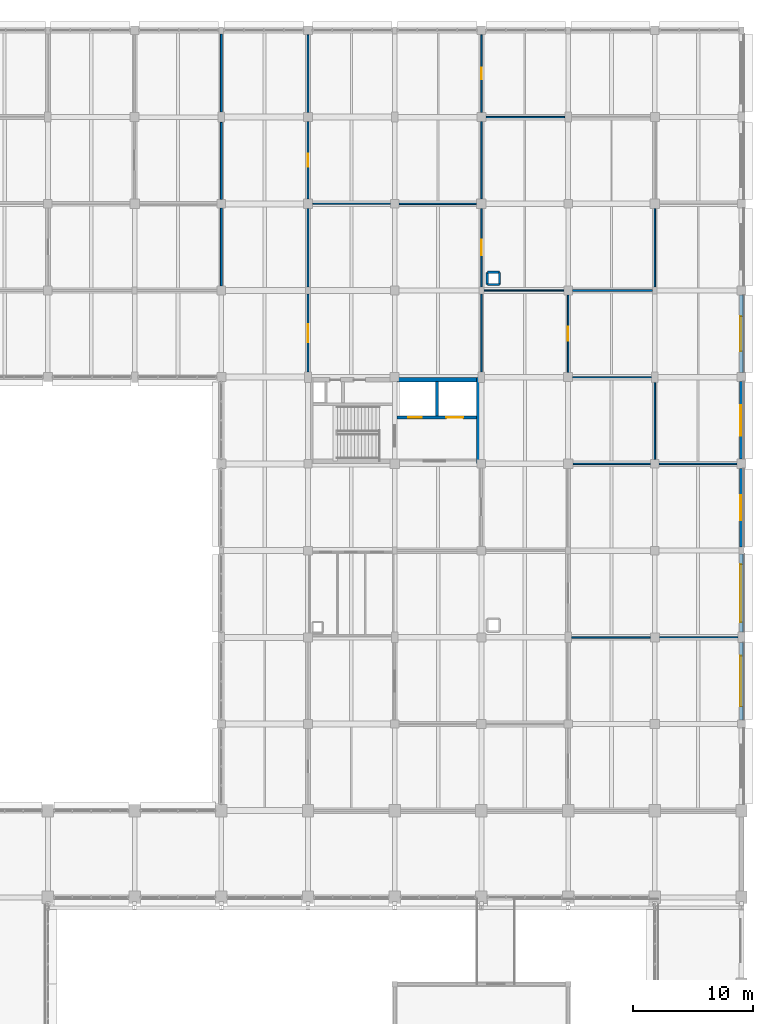
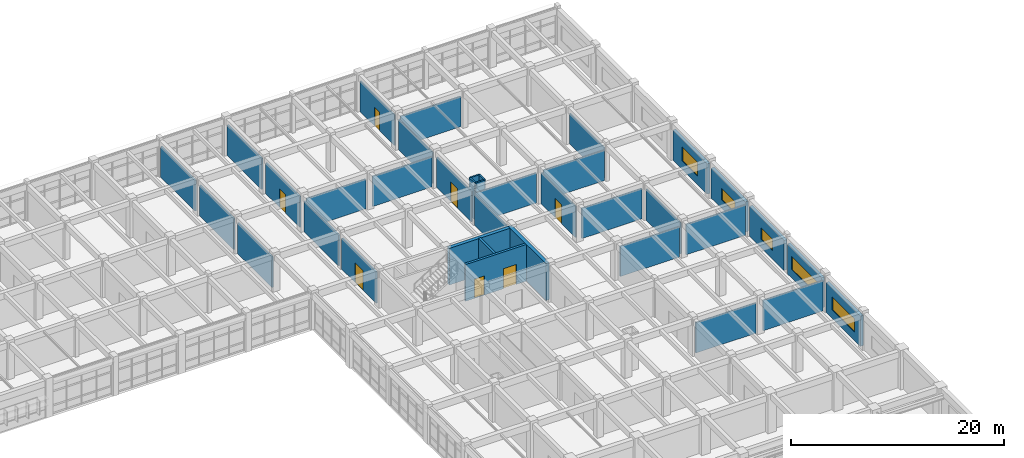
# One storey, part 161 of 171: 37 walls, 7 doors, 5 windows, 12 openings.
"""IFC4 building model written with IfcOpenShell, lengths in metres."""

from ifc_helpers import new_model, si_unit, direction, frame, frame_2d, origin, place, context, subcontext, project, spatial, rectangle, extrude, material, layer, layer_set, type_object, element, fill, save


model = new_model("IFC4")

# Units and contexts
model_context = context("Model", 3, precision=1e-05, world=origin(), true_north=direction((0.0, 1.0)))
body_context = subcontext(model_context, "Body", "Model", "MODEL_VIEW")
ifc_project = project(units=[si_unit("LENGTHUNIT", "METRE"), si_unit("AREAUNIT", "SQUARE_METRE"), si_unit("VOLUMEUNIT", "CUBIC_METRE"), si_unit("PLANEANGLEUNIT", "RADIAN"), si_unit("MASSUNIT", "GRAM", prefix="KILO")], contexts=[model_context])

# Site, building, storey
site_placement = place(None, origin())
site = spatial("IfcSite", under=ifc_project, at=site_placement, CompositionType="ELEMENT")
building_placement = place(site_placement, origin())
building = spatial("IfcBuilding", under=site, at=building_placement, Name="Thalmaran Polytechnic", CompositionType="ELEMENT")
storey_placement = place(building_placement, frame((0.0, 0.0, 5.39990234375)))
storey = spatial("IfcBuildingStorey", under=building, at=storey_placement, Name="L01", CompositionType="ELEMENT", Elevation=5.39990234375)

# Wall, opening, window
ifc_material_1 = material(Name="Precast concrete C40/50", Category="concrete")
ifc_layer_1 = layer(ifc_material_1, 0.330078125, Name="Precast concrete C40/50")
ifc_layer_set_1 = layer_set([ifc_layer_1], Name="Precast concrete C40/50")
wall_type_1 = type_object("IfcWallType", Name="WL-EW02", PredefinedType="STANDARD", material=ifc_layer_set_1)
wall_1_placement = place(storey_placement, frame((172.800048828125, 100.43994140625, 0.0), z_axis=(0.0, 0.0, 1.0), x_axis=(0.0, -1.0, 0.0)))
wall_1 = element("IfcWall", 1, at=wall_1_placement, inside=storey, type_object=wall_type_1, Name="Exterior Precast Facade Wall L01-055", PredefinedType="STANDARD", context=body_context, shape_type="SweptSolid", body=[
    extrude(rectangle(XDim=6.46484375, YDim=0.330078125, at=frame_2d((3.232421875, 0.0))), origin(), (0.0, 0.0, 1.0), 3.455078125),
])
opening_1_placement = place(wall_1_placement, frame((1.782470703125, 0.0, 0.97998046875)))
opening_1 = element("IfcOpeningElement", 2, at=opening_1_placement, cuts=wall_1, Name="Opening VW18", PredefinedType="OPENING", context=body_context, shape_type="SweptSolid", body=[
    extrude(rectangle(XDim=2.89990234375, YDim=1.60009765625, at=frame_2d((1.449951171875, 0.800048828125))), frame((0.0, 0.175048828125, 0.0), z_axis=(0.0, -1.0, 0.0), x_axis=(1.0, 0.0, 0.0)), (0.0, 0.0, 1.0), 0.35009765625),
])
ifc_material_2 = material(Name="Thermally broken aluminium and double low-E glass", Category="aluminium")
window_type_1 = type_object("IfcWindowType", Name="WN-VZ18", PartitioningType="DOUBLE_PANEL_VERTICAL", PredefinedType="WINDOW", material=ifc_material_2)
window_1_placement = place(opening_1_placement, origin())
window_1 = element("IfcWindow", 3, at=window_1_placement, inside=storey, type_object=window_type_1, Name="Streamline Ribbon Window W-0127", OverallHeight=1.60009765625, OverallWidth=2.89990234375, PartitioningType="SINGLE_PANEL", PredefinedType="WINDOW", context=body_context, shape_type="SweptSolid", body=[
    extrude(rectangle(XDim=2.89990234375, YDim=1.60009765625, at=frame_2d((1.449951171875, 0.800048828125))), frame((0.0, -0.030029296875, 0.0), z_axis=(0.0, -1.0, 0.0), x_axis=(1.0, 0.0, 0.0)), (0.0, 0.0, 1.0), 0.06005859375),
])
fill(opening_1, window_1)

wall_2_placement = place(storey_placement, frame((172.800048828125, 93.22509765625, 0.0), z_axis=(0.0, 0.0, 1.0), x_axis=(0.0, -1.0, 0.0)))
wall_2 = element("IfcWall", 4, at=wall_2_placement, inside=storey, type_object=wall_type_1, Name="Exterior Precast Facade Wall L01-056", PredefinedType="STANDARD", context=body_context, shape_type="SweptSolid", body=[
    extrude(rectangle(XDim=6.43505859375, YDim=0.330078125, at=frame_2d((3.217529296875, 0.0))), origin(), (0.0, 0.0, 1.0), 3.455078125),
])
opening_2_placement = place(wall_2_placement, frame((1.967529296875, 0.0, 0.97998046875)))
opening_2 = element("IfcOpeningElement", 5, at=opening_2_placement, cuts=wall_2, Name="Opening VW19", PredefinedType="OPENING", context=body_context, shape_type="SweptSolid", body=[
    extrude(rectangle(XDim=2.5, YDim=1.35009765625, at=frame_2d((1.25, 0.675048828125))), frame((0.0, 0.175048828125, 0.0), z_axis=(0.0, -1.0, 0.0), x_axis=(1.0, 0.0, 0.0)), (0.0, 0.0, 1.0), 0.35009765625),
])
window_type_2 = type_object("IfcWindowType", Name="WN-VZ19", PartitioningType="DOUBLE_PANEL_VERTICAL", PredefinedType="WINDOW", material=ifc_material_2)
window_2_placement = place(opening_2_placement, origin())
window_2 = element("IfcWindow", 6, at=window_2_placement, inside=storey, type_object=window_type_2, Name="Streamline Ribbon Window W-0128", OverallHeight=1.35009765625, OverallWidth=2.5, PartitioningType="SINGLE_PANEL", PredefinedType="WINDOW", context=body_context, shape_type="SweptSolid", body=[
    extrude(rectangle(XDim=2.5, YDim=1.35009765625, at=frame_2d((1.25, 0.675048828125))), frame((0.0, -0.030029296875, 0.0), z_axis=(0.0, -1.0, 0.0), x_axis=(1.0, 0.0, 0.0)), (0.0, 0.0, 1.0), 0.06005859375),
])
fill(opening_2, window_2)

wall_3_placement = place(storey_placement, frame((172.800048828125, 86.010009765625, 0.0), z_axis=(0.0, 0.0, 1.0), x_axis=(0.0, -1.0, 0.0)))
wall_3 = element("IfcWall", 7, at=wall_3_placement, inside=storey, type_object=wall_type_1, Name="Exterior Precast Facade Wall L01-057", PredefinedType="STANDARD", context=body_context, shape_type="SweptSolid", body=[
    extrude(rectangle(XDim=6.510009765625, YDim=0.330078125, at=frame_2d((3.2548828125, 0.0))), origin(), (0.0, 0.0, 1.0), 3.455078125),
])
opening_3_placement = place(wall_3_placement, frame((2.205078125, 0.0, 0.97998046875)))
opening_3 = element("IfcOpeningElement", 8, at=opening_3_placement, cuts=wall_3, Name="Opening VW20", PredefinedType="OPENING", context=body_context, shape_type="SweptSolid", body=[
    extrude(rectangle(XDim=2.10009765625, YDim=1.300048828125, at=frame_2d((1.050048828125, 0.64990234375))), frame((0.0, 0.175048828125, 0.0), z_axis=(0.0, -1.0, 0.0), x_axis=(1.0, 0.0, 0.0)), (0.0, 0.0, 1.0), 0.35009765625),
])
window_type_3 = type_object("IfcWindowType", Name="WN-VZ20", PartitioningType="SINGLE_PANEL", PredefinedType="WINDOW", material=ifc_material_2)
window_3_placement = place(opening_3_placement, origin())
window_3 = element("IfcWindow", 9, at=window_3_placement, inside=storey, type_object=window_type_3, Name="Streamline Ribbon Window W-0129", OverallHeight=1.300048828125, OverallWidth=2.10009765625, PartitioningType="SINGLE_PANEL", PredefinedType="WINDOW", context=body_context, shape_type="SweptSolid", body=[
    extrude(rectangle(XDim=2.10009765625, YDim=1.300048828125, at=frame_2d((1.050048828125, 0.64990234375))), frame((0.0, -0.030029296875, 0.0), z_axis=(0.0, -1.0, 0.0), x_axis=(1.0, 0.0, 0.0)), (0.0, 0.0, 1.0), 0.06005859375),
])
fill(opening_3, window_3)

wall_4_placement = place(storey_placement, frame((172.800048828125, 78.89990234375, 0.0), z_axis=(0.0, 0.0, 1.0), x_axis=(0.0, -1.0, 0.0)))
wall_4 = element("IfcWall", 10, at=wall_4_placement, inside=storey, type_object=wall_type_1, Name="Exterior Precast Facade Wall L01-058", PredefinedType="STANDARD", context=body_context, shape_type="SweptSolid", body=[
    extrude(rectangle(XDim=6.474853515625, YDim=0.330078125, at=frame_2d((3.2373046875, 0.0))), origin(), (0.0, 0.0, 1.0), 3.455078125),
])
opening_4_placement = place(wall_4_placement, frame((0.83740234375, 0.0, 0.97998046875)))
opening_4 = element("IfcOpeningElement", 11, at=opening_4_placement, cuts=wall_4, Name="Opening RW01", PredefinedType="OPENING", context=body_context, shape_type="SweptSolid", body=[
    extrude(rectangle(XDim=4.800048828125, YDim=1.5, at=frame_2d((2.39990234375, 0.75))), frame((0.0, 0.175048828125, 0.0), z_axis=(0.0, -1.0, 0.0), x_axis=(1.0, 0.0, 0.0)), (0.0, 0.0, 1.0), 0.35009765625),
])
window_type_4 = type_object("IfcWindowType", Name="WN-RW01", PartitioningType="TRIPLE_PANEL_HORIZONTAL", PredefinedType="WINDOW", material=ifc_material_2)
window_4_placement = place(opening_4_placement, origin())
window_4 = element("IfcWindow", 12, at=window_4_placement, inside=storey, type_object=window_type_4, Name="Streamline Ribbon Window W-0130", OverallHeight=1.5, OverallWidth=4.800048828125, PartitioningType="SINGLE_PANEL", PredefinedType="WINDOW", context=body_context, shape_type="SweptSolid", body=[
    extrude(rectangle(XDim=4.800048828125, YDim=1.5, at=frame_2d((2.39990234375, 0.75))), frame((0.0, -0.030029296875, 0.0), z_axis=(0.0, -1.0, 0.0), x_axis=(1.0, 0.0, 0.0)), (0.0, 0.0, 1.0), 0.06005859375),
])
fill(opening_4, window_4)

wall_5_placement = place(storey_placement, frame((172.800048828125, 71.574951171875, 0.0), z_axis=(0.0, 0.0, 1.0), x_axis=(0.0, -1.0, 0.0)))
wall_5 = element("IfcWall", 13, at=wall_5_placement, inside=storey, type_object=wall_type_1, Name="Exterior Precast Facade Wall L01-059", PredefinedType="STANDARD", context=body_context, shape_type="SweptSolid", body=[
    extrude(rectangle(XDim=6.425048828125, YDim=0.330078125, at=frame_2d((3.21240234375, 0.0))), origin(), (0.0, 0.0, 1.0), 3.455078125),
])
opening_5_placement = place(wall_5_placement, frame((1.112548828125, 0.0, 0.97998046875)))
opening_5 = element("IfcOpeningElement", 14, at=opening_5_placement, cuts=wall_5, Name="Opening RW02", PredefinedType="OPENING", context=body_context, shape_type="SweptSolid", body=[
    extrude(rectangle(XDim=4.199951171875, YDim=1.5, at=frame_2d((2.10009765625, 0.75))), frame((0.0, 0.175048828125, 0.0), z_axis=(0.0, -1.0, 0.0), x_axis=(1.0, 0.0, 0.0)), (0.0, 0.0, 1.0), 0.35009765625),
])
window_type_5 = type_object("IfcWindowType", Name="WN-RW02", PartitioningType="TRIPLE_PANEL_HORIZONTAL", PredefinedType="WINDOW", material=ifc_material_2)
window_5_placement = place(opening_5_placement, origin())
window_5 = element("IfcWindow", 15, at=window_5_placement, inside=storey, type_object=window_type_5, Name="Streamline Ribbon Window W-0131", OverallHeight=1.5, OverallWidth=4.199951171875, PartitioningType="SINGLE_PANEL", PredefinedType="WINDOW", context=body_context, shape_type="SweptSolid", body=[
    extrude(rectangle(XDim=4.199951171875, YDim=1.5, at=frame_2d((2.10009765625, 0.75))), frame((0.0, -0.030029296875, 0.0), z_axis=(0.0, -1.0, 0.0), x_axis=(1.0, 0.0, 0.0)), (0.0, 0.0, 1.0), 0.06005859375),
])
fill(opening_5, window_5)

# Walls
ifc_material_3 = material(Name="Autoclaved aerated masonry", Category="masonry")
ifc_layer_2 = layer(ifc_material_3, 0.25, Name="Autoclaved aerated masonry")
ifc_layer_set_2 = layer_set([ifc_layer_2], Name="Autoclaved aerated masonry")
wall_type_2 = type_object("IfcWallType", Name="WL-IW01", PredefinedType="PARTITIONING", material=ifc_layer_set_2)
wall_6_placement = place(storey_placement, frame((147.5, 90.3798828125, 0.0), z_axis=(0.0, 0.0, 1.0), x_axis=(0.0, 1.0, 0.0)))
element("IfcWall", 16, at=wall_6_placement, inside=storey, type_object=wall_type_2, Name="Core C5 Shaft Dividing Wall L01", PredefinedType="PARTITIONING", context=body_context, shape_type="SweptSolid", body=[
    extrude(rectangle(XDim=2.8701171875, YDim=0.25, at=frame_2d((1.43505859375, 0.0))), origin(), (0.0, 0.0, 1.0), 4.210205078125),
])
ifc_layer_3 = layer(ifc_material_3, 0.179931640625, Name="Autoclaved aerated masonry")
ifc_layer_set_3 = layer_set([ifc_layer_3], Name="Autoclaved aerated masonry")
wall_type_3 = type_object("IfcWallType", Name="WL-IW04", PredefinedType="PARTITIONING", material=ifc_layer_set_3)
for number, where, z_axis, x_axis, name in (
    (17, (151.68994140625, 101.2900390625, 0.0), (0.0, 0.0, 1.0), (1.0, 0.0, 0.0), "Fume Exhaust Riser Shaft Wall L01 (21,14)-S"),
    (18, (152.7099609375, 101.2900390625, 0.0), (0.0, 0.0, 1.0), (0.0, 1.0, 0.0), "Fume Exhaust Riser Shaft Wall L01 (21,14)-E"),
    (19, (152.7099609375, 102.31005859375, 0.0), (0.0, 0.0, 1.0), (-1.0, 0.0, 0.0), "Fume Exhaust Riser Shaft Wall L01 (21,14)-N"),
    (20, (151.68994140625, 102.31005859375, 0.0), (0.0, 0.0, 1.0), (0.0, -1.0, 0.0), "Fume Exhaust Riser Shaft Wall L01 (21,14)-W"),
):
    element("IfcWall", number, at=place(storey_placement, frame(where, z_axis=z_axis, x_axis=x_axis)), inside=storey, type_object=wall_type_3, Name=name, PredefinedType="PARTITIONING", context=body_context, shape_type="SweptSolid", body=[
        extrude(rectangle(XDim=1.02001953125, YDim=0.179931640625, at=frame_2d((0.510009765625, 0.0))), origin(), (0.0, 0.0, 1.0), 4.210205078125),
    ])
ifc_material_4 = material(Name="Gypsum acoustic partition")
ifc_layer_4 = layer(ifc_material_4, 0.159912109375, Name="Gypsum acoustic partition")
ifc_layer_set_4 = layer_set([ifc_layer_4], Name="Gypsum acoustic partition")
wall_type_4 = type_object("IfcWallType", Name="WL-IW05", PredefinedType="PARTITIONING", material=ifc_layer_set_4)
wall_7_placement = place(storey_placement, frame((129.60009765625, 101.1650390625, 0.0), z_axis=(0.0, 0.0, 1.0), x_axis=(0.0, 1.0, 0.0)))
element("IfcWall", 21, at=wall_7_placement, inside=storey, type_object=wall_type_4, Name="Interior Partition IW05 L01-123", PredefinedType="PARTITIONING", context=body_context, shape_type="SweptSolid", body=[
    extrude(rectangle(XDim=6.47998046875, YDim=0.159912109375, at=frame_2d((3.239990234375, 0.0))), origin(), (0.0, 0.0, 1.0), 3.525146484375),
])
wall_8_placement = place(storey_placement, frame((129.60009765625, 108.35498046875, 0.0), z_axis=(0.0, 0.0, 1.0), x_axis=(0.0, 1.0, 0.0)))
element("IfcWall", 22, at=wall_8_placement, inside=storey, type_object=wall_type_4, Name="Interior Partition IW05 L01-125", PredefinedType="PARTITIONING", context=body_context, shape_type="SweptSolid", body=[
    extrude(rectangle(XDim=6.4150390625, YDim=0.159912109375, at=frame_2d((3.20751953125, 0.0))), origin(), (0.0, 0.0, 1.0), 3.525146484375),
])
wall_9_placement = place(storey_placement, frame((129.60009765625, 115.6298828125, 0.0), z_axis=(0.0, 0.0, 1.0), x_axis=(0.0, 1.0, 0.0)))
element("IfcWall", 23, at=wall_9_placement, inside=storey, type_object=wall_type_4, Name="Interior Partition IW05 L01-126", PredefinedType="PARTITIONING", context=body_context, shape_type="SweptSolid", body=[
    extrude(rectangle(XDim=6.465087890625, YDim=0.159912109375, at=frame_2d((3.232421875, 0.0))), origin(), (0.0, 0.0, 1.0), 3.52001953125),
])

# Wall, opening, door
wall_10_placement = place(storey_placement, frame((136.800048828125, 94.030029296875, 0.0), z_axis=(0.0, 0.0, 1.0), x_axis=(0.0, 1.0, 0.0)))
wall_10 = element("IfcWall", 24, at=wall_10_placement, inside=storey, type_object=wall_type_4, Name="Interior Partition IW05 L01-129", PredefinedType="PARTITIONING", context=body_context, shape_type="SweptSolid", body=[
    extrude(rectangle(XDim=6.465087890625, YDim=0.159912109375, at=frame_2d((3.232421875, 0.0))), origin(), (0.0, 0.0, 1.0), 3.5751953125),
])
opening_6_placement = place(wall_10_placement, frame((2.492431640625, 0.0, 0.0)))
opening_6 = element("IfcOpeningElement", 25, at=opening_6_placement, cuts=wall_10, Name="Opening D-L01-050-5-07-1", PredefinedType="OPENING", context=body_context, shape_type="SweptSolid", body=[
    extrude(rectangle(XDim=1.47998046875, YDim=2.280029296875, at=frame_2d((0.739990234375, 1.14013671875))), frame((0.0, 0.08984375, 0.0), z_axis=(0.0, -1.0, 0.0), x_axis=(1.0, 0.0, 0.0)), (0.0, 0.0, 1.0), 0.179931640625),
])
ifc_material_5 = material(Name="Powder-coated fire-rated steel", Category="steel")
door_type_1 = type_object("IfcDoorType", Name="DR-ZD09", OperationType="NOTDEFINED", PredefinedType="DOOR", material=ifc_material_5)
door_1_placement = place(opening_6_placement, origin())
door_1 = element("IfcDoor", 26, at=door_1_placement, inside=storey, type_object=door_type_1, Name="Photonics and Electronics Laboratory L01-07 Door 1", OperationType="SINGLE_SWING_LEFT", OverallHeight=2.280029296875, OverallWidth=1.47998046875, PredefinedType="DOOR", context=body_context, shape_type="SweptSolid", body=[
    extrude(rectangle(XDim=1.47998046875, YDim=2.280029296875, at=frame_2d((0.739990234375, 1.14013671875))), frame((0.0, 0.02490234375, 0.0), z_axis=(0.0, -1.0, 0.0), x_axis=(1.0, 0.0, 0.0)), (0.0, 0.0, 1.0), 0.050048828125),
])
fill(opening_6, door_1)

# Wall
wall_11_placement = place(storey_placement, frame((136.800048828125, 101.10498046875, 0.0), z_axis=(0.0, 0.0, 1.0), x_axis=(0.0, 1.0, 0.0)))
element("IfcWall", 27, at=wall_11_placement, inside=storey, type_object=wall_type_4, Name="Interior Partition IW05 L01-130", PredefinedType="PARTITIONING", context=body_context, shape_type="SweptSolid", body=[
    extrude(rectangle(XDim=6.5, YDim=0.159912109375, at=frame_2d((3.25, 0.0))), origin(), (0.0, 0.0, 1.0), 3.525146484375),
])

# Wall, opening, door
wall_12_placement = place(storey_placement, frame((136.800048828125, 108.39501953125, 0.0), z_axis=(0.0, 0.0, 1.0), x_axis=(0.0, 1.0, 0.0)))
wall_12 = element("IfcWall", 28, at=wall_12_placement, inside=storey, type_object=wall_type_4, Name="Interior Partition IW05 L01-131", PredefinedType="PARTITIONING", context=body_context, shape_type="SweptSolid", body=[
    extrude(rectangle(XDim=6.425048828125, YDim=0.159912109375, at=frame_2d((3.21240234375, 0.0))), origin(), (0.0, 0.0, 1.0), 3.525146484375),
])
opening_7_placement = place(wall_12_placement, frame((2.66259765625, 0.0, 0.0)))
opening_7 = element("IfcOpeningElement", 29, at=opening_7_placement, cuts=wall_12, Name="Opening D-L01-052-5-09-1", PredefinedType="OPENING", context=body_context, shape_type="SweptSolid", body=[
    extrude(rectangle(XDim=1.10009765625, YDim=2.14990234375, at=frame_2d((0.550048828125, 1.074951171875))), frame((0.0, 0.08984375, 0.0), z_axis=(0.0, -1.0, 0.0), x_axis=(1.0, 0.0, 0.0)), (0.0, 0.0, 1.0), 0.179931640625),
])
door_type_2 = type_object("IfcDoorType", Name="DR-FD07", OperationType="NOTDEFINED", PredefinedType="DOOR", material=ifc_material_5)
door_2_placement = place(opening_7_placement, origin())
door_2 = element("IfcDoor", 30, at=door_2_placement, inside=storey, type_object=door_type_2, Name="Seminar Room L01-09 Door 1", OperationType="SINGLE_SWING_LEFT", OverallHeight=2.14990234375, OverallWidth=1.10009765625, PredefinedType="DOOR", context=body_context, shape_type="SweptSolid", body=[
    extrude(rectangle(XDim=1.10009765625, YDim=2.14990234375, at=frame_2d((0.550048828125, 1.074951171875))), frame((0.0, 0.02490234375, 0.0), z_axis=(0.0, -1.0, 0.0), x_axis=(1.0, 0.0, 0.0)), (0.0, 0.0, 1.0), 0.050048828125),
])
fill(opening_7, door_2)

# Walls
wall_13_placement = place(storey_placement, frame((136.800048828125, 115.580078125, 0.0), z_axis=(0.0, 0.0, 1.0), x_axis=(0.0, 1.0, 0.0)))
element("IfcWall", 31, at=wall_13_placement, inside=storey, type_object=wall_type_4, Name="Interior Partition IW05 L01-132", PredefinedType="PARTITIONING", context=body_context, shape_type="SweptSolid", body=[
    extrude(rectangle(XDim=6.454833984375, YDim=0.159912109375, at=frame_2d((3.2275390625, 0.0))), origin(), (0.0, 0.0, 1.0), 3.52001953125),
])
ifc_layer_5 = layer(ifc_material_4, 0.1298828125, Name="Gypsum acoustic partition")
ifc_layer_set_5 = layer_set([ifc_layer_5], Name="Gypsum acoustic partition")
wall_type_5 = type_object("IfcWallType", Name="WL-IW07", PredefinedType="PARTITIONING", material=ifc_layer_set_5)
wall_14_placement = place(storey_placement, frame((151.199951171875, 94.030029296875, 0.0), z_axis=(0.0, 0.0, 1.0), x_axis=(0.0, 1.0, 0.0)))
element("IfcWall", 32, at=wall_14_placement, inside=storey, type_object=wall_type_5, Name="Interior Partition IW07 L01-140", PredefinedType="PARTITIONING", context=body_context, shape_type="SweptSolid", body=[
    extrude(rectangle(XDim=6.465087890625, YDim=0.1298828125, at=frame_2d((3.232421875, 0.0))), origin(), (0.0, 0.0, 1.0), 3.5751953125),
])
wall_15_placement = place(storey_placement, frame((144.35498046875, 108.0, 0.0), z_axis=(0.0, 0.0, 1.0), x_axis=(1.0, 0.0, 0.0)))
element("IfcWall", 33, at=wall_15_placement, inside=storey, type_object=wall_type_5, Name="Interior Partition IW07 L01-142", PredefinedType="PARTITIONING", context=body_context, shape_type="SweptSolid", body=[
    extrude(rectangle(XDim=6.449951171875, YDim=0.1298828125, at=frame_2d((3.22509765625, 0.0))), origin(), (0.0, 0.0, 1.0), 3.460205078125),
])

# Wall, opening, door
wall_16_placement = place(storey_placement, frame((151.199951171875, 115.580078125, 0.0), z_axis=(0.0, 0.0, 1.0), x_axis=(0.0, 1.0, 0.0)))
wall_16 = element("IfcWall", 34, at=wall_16_placement, inside=storey, type_object=wall_type_5, Name="Interior Partition IW07 L01-144", PredefinedType="PARTITIONING", context=body_context, shape_type="SweptSolid", body=[
    extrude(rectangle(XDim=6.454833984375, YDim=0.1298828125, at=frame_2d((3.2275390625, 0.0))), origin(), (0.0, 0.0, 1.0), 3.52001953125),
])
opening_8_placement = place(wall_16_placement, frame((2.75244140625, 0.0, 0.0)))
opening_8 = element("IfcOpeningElement", 35, at=opening_8_placement, cuts=wall_16, Name="Opening D-L01-053-5-10-1", PredefinedType="OPENING", context=body_context, shape_type="SweptSolid", body=[
    extrude(rectangle(XDim=0.949951171875, YDim=2.14990234375, at=frame_2d((0.47509765625, 1.074951171875))), frame((0.0, 0.074951171875, 0.0), z_axis=(0.0, -1.0, 0.0), x_axis=(1.0, 0.0, 0.0)), (0.0, 0.0, 1.0), 0.14990234375),
])
door_type_3 = type_object("IfcDoorType", Name="DR-FD08", OperationType="NOTDEFINED", PredefinedType="DOOR", material=ifc_material_5)
door_3_placement = place(opening_8_placement, origin())
door_3 = element("IfcDoor", 36, at=door_3_placement, inside=storey, type_object=door_type_3, Name="Process Engineering Laboratory L01-10 Door 1", OperationType="SINGLE_SWING_RIGHT", OverallHeight=2.14990234375, OverallWidth=0.949951171875, PredefinedType="DOOR", context=body_context, shape_type="SweptSolid", body=[
    extrude(rectangle(XDim=0.949951171875, YDim=2.14990234375, at=frame_2d((0.47509765625, 1.074951171875))), frame((0.0, 0.02490234375, 0.0), z_axis=(0.0, -1.0, 0.0), x_axis=(1.0, 0.0, 0.0)), (0.0, 0.0, 1.0), 0.050048828125),
])
fill(opening_8, door_3)

wall_17_placement = place(storey_placement, frame((158.39990234375, 93.97998046875, 0.0), z_axis=(0.0, 0.0, 1.0), x_axis=(0.0, 1.0, 0.0)))
wall_17 = element("IfcWall", 37, at=wall_17_placement, inside=storey, type_object=wall_type_5, Name="Interior Partition IW07 L01-152", PredefinedType="PARTITIONING", context=body_context, shape_type="SweptSolid", body=[
    extrude(rectangle(XDim=6.455078125, YDim=0.1298828125, at=frame_2d((3.2275390625, 0.0))), origin(), (0.0, 0.0, 1.0), 3.5751953125),
])
opening_9_placement = place(wall_17_placement, frame((2.637451171875, 0.0, 0.0)))
opening_9 = element("IfcOpeningElement", 38, at=opening_9_placement, cuts=wall_17, Name="Opening D-L01-049-5-06-1", PredefinedType="OPENING", context=body_context, shape_type="SweptSolid", body=[
    extrude(rectangle(XDim=1.179931640625, YDim=2.179931640625, at=frame_2d((0.58984375, 1.08984375))), frame((0.0, 0.074951171875, 0.0), z_axis=(0.0, -1.0, 0.0), x_axis=(1.0, 0.0, 0.0)), (0.0, 0.0, 1.0), 0.14990234375),
])
ifc_material_6 = material(Name="Acoustic hardwood", Category="wood")
door_type_4 = type_object("IfcDoorType", Name="DR-ZD05", OperationType="NOTDEFINED", PredefinedType="DOOR", material=ifc_material_6)
door_4_placement = place(opening_9_placement, origin())
door_4 = element("IfcDoor", 39, at=door_4_placement, inside=storey, type_object=door_type_4, Name="Marine Systems Laboratory L01-06 Door 1", OperationType="SINGLE_SWING_RIGHT", OverallHeight=2.179931640625, OverallWidth=1.179931640625, PredefinedType="DOOR", context=body_context, shape_type="SweptSolid", body=[
    extrude(rectangle(XDim=1.179931640625, YDim=2.179931640625, at=frame_2d((0.58984375, 1.08984375))), frame((0.0, 0.02490234375, 0.0), z_axis=(0.0, -1.0, 0.0), x_axis=(1.0, 0.0, 0.0)), (0.0, 0.0, 1.0), 0.050048828125),
])
fill(opening_9, door_4)

# Walls
wall_18_placement = place(storey_placement, frame((151.580078125, 115.199951171875, 0.0), z_axis=(0.0, 0.0, 1.0), x_axis=(1.0, 0.0, 0.0)))
element("IfcWall", 40, at=wall_18_placement, inside=storey, type_object=wall_type_5, Name="Interior Partition IW07 L01-154", PredefinedType="PARTITIONING", context=body_context, shape_type="SweptSolid", body=[
    extrude(rectangle(XDim=6.5400390625, YDim=0.1298828125, at=frame_2d((3.27001953125, 0.0))), origin(), (0.0, 0.0, 1.0), 3.47021484375),
])
wall_19_placement = place(storey_placement, frame((158.679931640625, 72.0, 0.0), z_axis=(0.0, 0.0, 1.0), x_axis=(1.0, 0.0, 0.0)))
element("IfcWall", 41, at=wall_19_placement, inside=storey, type_object=wall_type_5, Name="Interior Partition IW07 L01-156", PredefinedType="PARTITIONING", context=body_context, shape_type="SweptSolid", body=[
    extrude(rectangle(XDim=6.5400390625, YDim=0.1298828125, at=frame_2d((3.27001953125, 0.0))), origin(), (0.0, 0.0, 1.0), 3.485107421875),
])
wall_20_placement = place(storey_placement, frame((165.60009765625, 86.7548828125, 0.0), z_axis=(0.0, 0.0, 1.0), x_axis=(0.0, 1.0, 0.0)))
element("IfcWall", 42, at=wall_20_placement, inside=storey, type_object=wall_type_5, Name="Interior Partition IW07 L01-158", PredefinedType="PARTITIONING", context=body_context, shape_type="SweptSolid", body=[
    extrude(rectangle(XDim=6.4150390625, YDim=0.1298828125, at=frame_2d((3.20751953125, 0.0))), origin(), (0.0, 0.0, 1.0), 3.580078125),
])
wall_21_placement = place(storey_placement, frame((158.764892578125, 100.800048828125, 0.0), z_axis=(0.0, 0.0, 1.0), x_axis=(1.0, 0.0, 0.0)))
element("IfcWall", 43, at=wall_21_placement, inside=storey, type_object=wall_type_5, Name="Interior Partition IW07 L01-160", PredefinedType="PARTITIONING", context=body_context, shape_type="SweptSolid", body=[
    extrude(rectangle(XDim=6.630126953125, YDim=0.1298828125, at=frame_2d((3.31494140625, 0.0))), origin(), (0.0, 0.0, 1.0), 3.485107421875),
])
wall_22_placement = place(storey_placement, frame((165.955078125, 86.39990234375, 0.0), z_axis=(0.0, 0.0, 1.0), x_axis=(1.0, 0.0, 0.0)))
element("IfcWall", 44, at=wall_22_placement, inside=storey, type_object=wall_type_5, Name="Interior Partition IW07 L01-166", PredefinedType="PARTITIONING", context=body_context, shape_type="SweptSolid", body=[
    extrude(rectangle(XDim=6.449951171875, YDim=0.1298828125, at=frame_2d((3.22509765625, 0.0))), origin(), (0.0, 0.0, 1.0), 3.489990234375),
])
ifc_layer_6 = layer(ifc_material_4, 0.114990234375, Name="Gypsum acoustic partition")
ifc_layer_set_6 = layer_set([ifc_layer_6], Name="Gypsum acoustic partition")
wall_type_6 = type_object("IfcWallType", Name="WL-IW08", PredefinedType="PARTITIONING", material=ifc_layer_set_6)
wall_23_placement = place(storey_placement, frame((137.195068359375, 108.0, 0.0), z_axis=(0.0, 0.0, 1.0), x_axis=(1.0, 0.0, 0.0)))
element("IfcWall", 45, at=wall_23_placement, inside=storey, type_object=wall_type_6, Name="Interior Partition IW08 L01-135", PredefinedType="PARTITIONING", context=body_context, shape_type="SweptSolid", body=[
    extrude(rectangle(XDim=6.449951171875, YDim=0.114990234375, at=frame_2d((3.22509765625, 0.0))), origin(), (0.0, 0.0, 1.0), 3.43017578125),
])

# Wall, opening, door
wall_24_placement = place(storey_placement, frame((151.199951171875, 101.10498046875, 0.0), z_axis=(0.0, 0.0, 1.0), x_axis=(0.0, 1.0, 0.0)))
wall_24 = element("IfcWall", 46, at=wall_24_placement, inside=storey, type_object=wall_type_6, Name="Interior Partition IW08 L01-141", PredefinedType="PARTITIONING", context=body_context, shape_type="SweptSolid", body=[
    extrude(rectangle(XDim=6.5, YDim=0.114990234375, at=frame_2d((3.25, 0.0))), origin(), (0.0, 0.0, 1.0), 3.525146484375),
])
opening_10_placement = place(wall_24_placement, frame((2.610107421875, 0.0, 0.0)))
opening_10 = element("IfcOpeningElement", 47, at=opening_10_placement, cuts=wall_24, Name="Opening D-L01-051-5-08-1", PredefinedType="OPENING", context=body_context, shape_type="SweptSolid", body=[
    extrude(rectangle(XDim=1.280029296875, YDim=2.239990234375, at=frame_2d((0.64013671875, 1.1201171875))), frame((0.0, 0.0673828125, 0.0), z_axis=(0.0, -1.0, 0.0), x_axis=(1.0, 0.0, 0.0)), (0.0, 0.0, 1.0), 0.135009765625),
])
door_type_5 = type_object("IfcDoorType", Name="DR-ZD10", OperationType="NOTDEFINED", PredefinedType="DOOR", material=ifc_material_5)
door_5_placement = place(opening_10_placement, origin())
door_5 = element("IfcDoor", 48, at=door_5_placement, inside=storey, type_object=door_type_5, Name="Product Design Studio L01-08 Door 1", OperationType="SINGLE_SWING_RIGHT", OverallHeight=2.239990234375, OverallWidth=1.280029296875, PredefinedType="DOOR", context=body_context, shape_type="SweptSolid", body=[
    extrude(rectangle(XDim=1.280029296875, YDim=2.239990234375, at=frame_2d((0.64013671875, 1.1201171875))), frame((0.0, 0.02490234375, 0.0), z_axis=(0.0, -1.0, 0.0), x_axis=(1.0, 0.0, 0.0)), (0.0, 0.0, 1.0), 0.050048828125),
])
fill(opening_10, door_5)

# Walls
wall_25_placement = place(storey_placement, frame((151.199951171875, 108.39501953125, 0.0), z_axis=(0.0, 0.0, 1.0), x_axis=(0.0, 1.0, 0.0)))
element("IfcWall", 49, at=wall_25_placement, inside=storey, type_object=wall_type_6, Name="Interior Partition IW08 L01-143", PredefinedType="PARTITIONING", context=body_context, shape_type="SweptSolid", body=[
    extrude(rectangle(XDim=6.425048828125, YDim=0.114990234375, at=frame_2d((3.21240234375, 0.0))), origin(), (0.0, 0.0, 1.0), 3.525146484375),
])
wall_26_placement = place(storey_placement, frame((151.405029296875, 100.800048828125, 0.0), z_axis=(0.0, 0.0, 1.0), x_axis=(1.0, 0.0, 0.0)))
element("IfcWall", 50, at=wall_26_placement, inside=storey, type_object=wall_type_6, Name="Interior Partition IW08 L01-153", PredefinedType="PARTITIONING", context=body_context, shape_type="SweptSolid", body=[
    extrude(rectangle(XDim=6.6298828125, YDim=0.114990234375, at=frame_2d((3.31494140625, 0.0))), origin(), (0.0, 0.0, 1.0), 3.47021484375),
])
wall_27_placement = place(storey_placement, frame((158.794921875, 86.39990234375, 0.0), z_axis=(0.0, 0.0, 1.0), x_axis=(1.0, 0.0, 0.0)))
element("IfcWall", 51, at=wall_27_placement, inside=storey, type_object=wall_type_6, Name="Interior Partition IW08 L01-157", PredefinedType="PARTITIONING", context=body_context, shape_type="SweptSolid", body=[
    extrude(rectangle(XDim=6.4501953125, YDim=0.114990234375, at=frame_2d((3.22509765625, 0.0))), origin(), (0.0, 0.0, 1.0), 3.485107421875),
])
wall_28_placement = place(storey_placement, frame((158.780029296875, 93.60009765625, 0.0), z_axis=(0.0, 0.0, 1.0), x_axis=(1.0, 0.0, 0.0)))
element("IfcWall", 52, at=wall_28_placement, inside=storey, type_object=wall_type_6, Name="Interior Partition IW08 L01-159", PredefinedType="PARTITIONING", context=body_context, shape_type="SweptSolid", body=[
    extrude(rectangle(XDim=6.5400390625, YDim=0.114990234375, at=frame_2d((3.27001953125, 0.0))), origin(), (0.0, 0.0, 1.0), 3.485107421875),
])
wall_29_placement = place(storey_placement, frame((165.60009765625, 101.10498046875, 0.0), z_axis=(0.0, 0.0, 1.0), x_axis=(0.0, 1.0, 0.0)))
element("IfcWall", 53, at=wall_29_placement, inside=storey, type_object=wall_type_6, Name="Interior Partition IW08 L01-161", PredefinedType="PARTITIONING", context=body_context, shape_type="SweptSolid", body=[
    extrude(rectangle(XDim=6.5, YDim=0.114990234375, at=frame_2d((3.25, 0.0))), origin(), (0.0, 0.0, 1.0), 3.525146484375),
])
wall_30_placement = place(storey_placement, frame((165.97998046875, 72.0, 0.0), z_axis=(0.0, 0.0, 1.0), x_axis=(1.0, 0.0, 0.0)))
element("IfcWall", 54, at=wall_30_placement, inside=storey, type_object=wall_type_6, Name="Interior Partition IW08 L01-165", PredefinedType="PARTITIONING", context=body_context, shape_type="SweptSolid", body=[
    extrude(rectangle(XDim=6.5400390625, YDim=0.114990234375, at=frame_2d((3.27001953125, 0.0))), origin(), (0.0, 0.0, 1.0), 3.489990234375),
])
ifc_material_7 = material(Name="Concrete C50/60", Category="concrete")
ifc_layer_7 = layer(ifc_material_7, 0.3798828125, Name="Concrete C50/60")
ifc_layer_set_7 = layer_set([ifc_layer_7], Name="Concrete C50/60")
wall_type_7 = type_object("IfcWallType", Name="WL-SW02", PredefinedType="SHEAR", material=ifc_layer_set_7)
wall_31_placement = place(storey_placement, frame((150.97998046875, 86.429931640625, 0.0), z_axis=(0.0, 0.0, 1.0), x_axis=(0.0, 1.0, 0.0)))
element("IfcWall", 55, at=wall_31_placement, inside=storey, type_object=wall_type_7, Name="Core C5 Lobby East Shear Wall L01", PredefinedType="SHEAR", context=body_context, shape_type="SweptSolid", body=[
    extrude(rectangle(XDim=7.14013671875, YDim=0.3798828125, at=frame_2d((3.570068359375, 0.0))), origin(), (0.0, 0.0, 1.0), 4.210205078125),
])
wall_32_placement = place(storey_placement, frame((144.18994140625, 93.3798828125, 0.0), z_axis=(0.0, 0.0, 1.0), x_axis=(1.0, 0.0, 0.0)))
element("IfcWall", 56, at=wall_32_placement, inside=storey, type_object=wall_type_7, Name="Core C5 Lift Shaft Back Shear Wall L01", PredefinedType="SHEAR", context=body_context, shape_type="SweptSolid", body=[
    extrude(rectangle(XDim=6.60009765625, YDim=0.3798828125, at=frame_2d((3.300048828125, 0.0))), origin(), (0.0, 0.0, 1.0), 4.210205078125),
])

# Wall, openings, doors
wall_33_placement = place(storey_placement, frame((144.18994140625, 90.25, 0.0), z_axis=(0.0, 0.0, 1.0), x_axis=(1.0, 0.0, 0.0)))
wall_33 = element("IfcWall", 57, at=wall_33_placement, inside=storey, type_object=wall_type_7, Name="Core C5 Lift Landing Front Wall L01", PredefinedType="SHEAR", context=body_context, shape_type="SweptSolid", body=[
    extrude(rectangle(XDim=6.60009765625, YDim=0.260009765625, at=frame_2d((3.300048828125, 0.0))), origin(), (0.0, 0.0, 1.0), 4.210205078125),
])
opening_11_placement = place(wall_33_placement, frame((0.949951171875, 0.0, 0.0)))
opening_11 = element("IfcOpeningElement", 58, at=opening_11_placement, cuts=wall_33, Name="Opening LD-PL-04-L01", PredefinedType="OPENING", context=body_context, shape_type="SweptSolid", body=[
    extrude(rectangle(XDim=1.10009765625, YDim=2.199951171875, at=frame_2d((0.550048828125, 1.10009765625))), frame((0.0, 0.139892578125, 0.0), z_axis=(0.0, -1.0, 0.0), x_axis=(1.0, 0.0, 0.0)), (0.0, 0.0, 1.0), 0.280029296875),
])
opening_12_placement = place(wall_33_placement, frame((4.10009765625, 0.0, 0.0)))
opening_12 = element("IfcOpeningElement", 59, at=opening_12_placement, cuts=wall_33, Name="Opening LD-GL-01-L01", PredefinedType="OPENING", context=body_context, shape_type="SweptSolid", body=[
    extrude(rectangle(XDim=1.39990234375, YDim=2.300048828125, at=frame_2d((0.699951171875, 1.14990234375))), frame((0.0, 0.139892578125, 0.0), z_axis=(0.0, -1.0, 0.0), x_axis=(1.0, 0.0, 0.0)), (0.0, 0.0, 1.0), 0.280029296875),
])
ifc_material_8 = material(Name="Brushed stainless steel lift door", Category="steel")
door_type_6 = type_object("IfcDoorType", Name="DR-LD01", OperationType="NOTDEFINED", PredefinedType="DOOR", material=ifc_material_8)
door_6_placement = place(opening_11_placement, origin())
door_6 = element("IfcDoor", 60, at=door_6_placement, inside=storey, type_object=door_type_6, Name="Lift Landing Door PL-04 L01", OperationType="SLIDING_TO_LEFT", OverallHeight=2.199951171875, OverallWidth=1.10009765625, PredefinedType="DOOR", context=body_context, shape_type="SweptSolid", body=[
    extrude(rectangle(XDim=1.10009765625, YDim=2.199951171875, at=frame_2d((0.550048828125, 1.10009765625))), frame((0.0, 0.02490234375, 0.0), z_axis=(0.0, -1.0, 0.0), x_axis=(1.0, 0.0, 0.0)), (0.0, 0.0, 1.0), 0.050048828125),
])
fill(opening_11, door_6)
door_type_7 = type_object("IfcDoorType", Name="DR-LD03", OperationType="NOTDEFINED", PredefinedType="DOOR", material=ifc_material_8)
door_7_placement = place(opening_12_placement, origin())
door_7 = element("IfcDoor", 61, at=door_7_placement, inside=storey, type_object=door_type_7, Name="Lift Landing Door GL-01 L01", OperationType="SLIDING_TO_RIGHT", OverallHeight=2.300048828125, OverallWidth=1.39990234375, PredefinedType="DOOR", context=body_context, shape_type="SweptSolid", body=[
    extrude(rectangle(XDim=1.39990234375, YDim=2.300048828125, at=frame_2d((0.699951171875, 1.14990234375))), frame((0.0, 0.02490234375, 0.0), z_axis=(0.0, -1.0, 0.0), x_axis=(1.0, 0.0, 0.0)), (0.0, 0.0, 1.0), 0.050048828125),
])
fill(opening_12, door_7)

save(model, "model.ifc")
